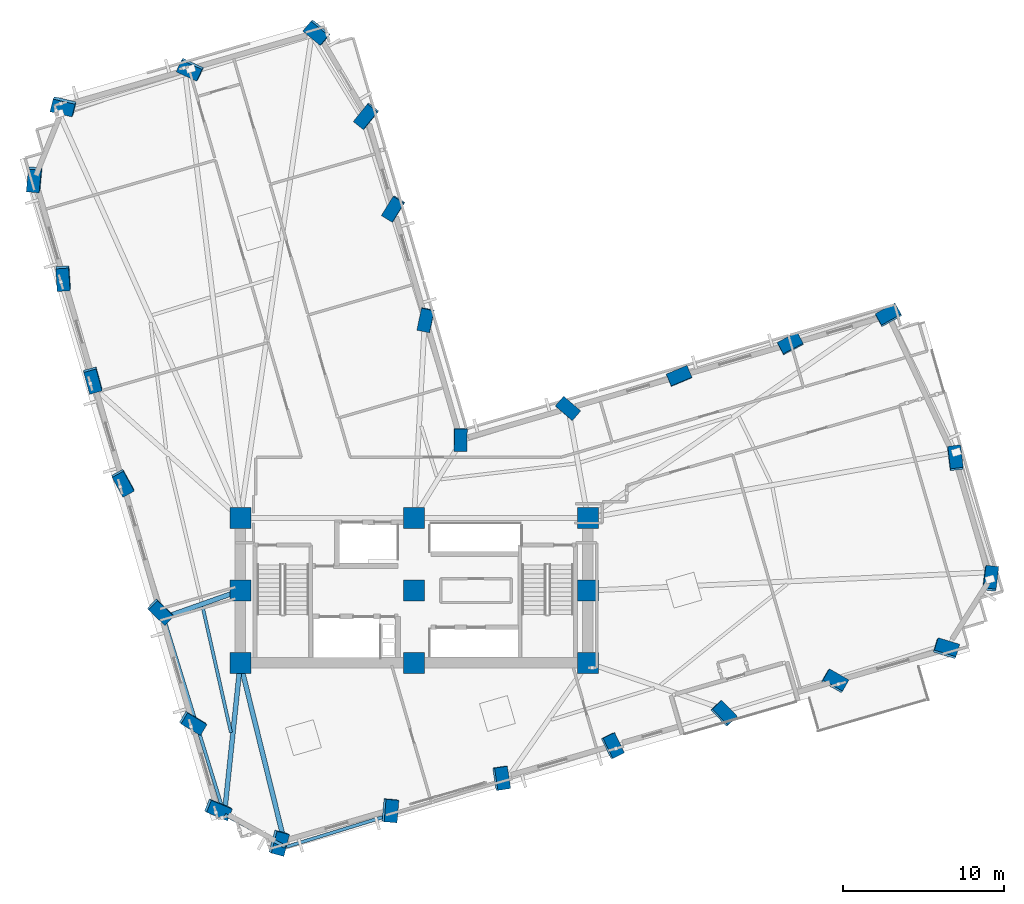
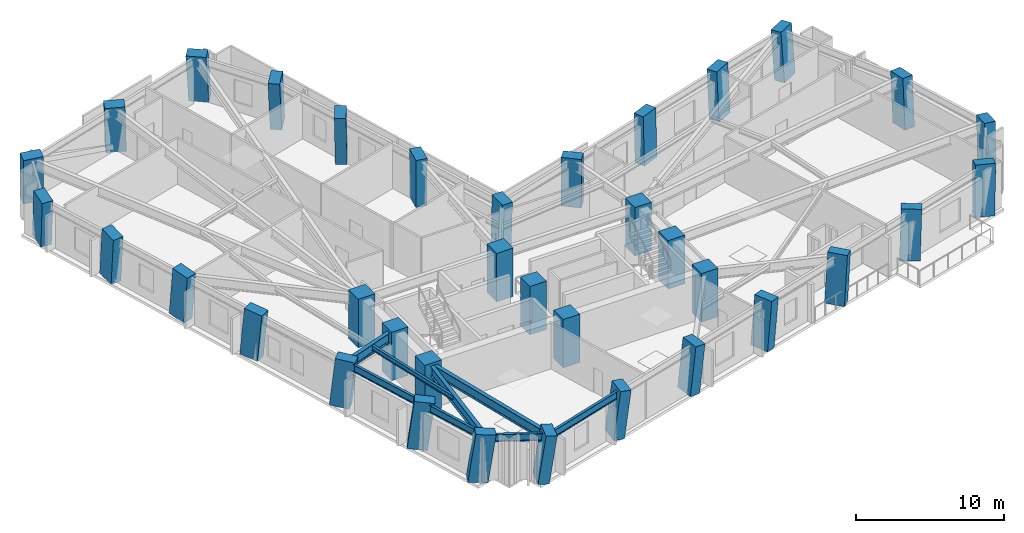
# One storey, part 1 of 15: 36 columns, 8 beams.
"""IFC4 building model written with IfcOpenShell, lengths in metres."""

from ifc_helpers import new_model, si_unit, direction, frame, origin, origin_2d, place, context, subcontext, project, spatial, rectangle, i_section, extrude, material, material_profile, profile_set, type_object, element, save


model = new_model("IFC4")

# Units and contexts
model_context = context("Model", 3, precision=1e-05, world=origin(), true_north=direction((0.0, 1.0)))
body_context = subcontext(model_context, "Body", "Model", "MODEL_VIEW")
ifc_project = project(units=[si_unit("LENGTHUNIT", "METRE"), si_unit("AREAUNIT", "SQUARE_METRE"), si_unit("VOLUMEUNIT", "CUBIC_METRE"), si_unit("PLANEANGLEUNIT", "RADIAN"), si_unit("MASSUNIT", "GRAM", prefix="KILO")], contexts=[model_context])

# Site, building, storey
site_placement = place(None, origin())
site = spatial("IfcSite", under=ifc_project, at=site_placement, CompositionType="ELEMENT")
building_placement = place(site_placement, origin())
building = spatial("IfcBuilding", under=site, at=building_placement, Name="Gaonmaruhae Medical Tower", CompositionType="ELEMENT")
storey_placement = place(building_placement, frame((0.0, 0.0, 92.39990234375)))
storey = spatial("IfcBuildingStorey", under=building, at=storey_placement, Name="L21", CompositionType="ELEMENT", Elevation=92.39990234375)

# Columns
ifc_material_1 = material(Name="Concrete C60/75", Category="concrete")
ifc_material_profile_1 = material_profile(ifc_material_1, rectangle(XDim=1.300048828125, YDim=1.300048828125, at=origin_2d()), Name="RC-1300x1300")
ifc_profile_set_1 = profile_set([ifc_material_profile_1], Name="Concrete C60/75")
column_type_1 = type_object("IfcColumnType", Name="CC-03 Zone 2 Core Column (RC-1300x1300)", PredefinedType="COLUMN", material=ifc_profile_set_1)
for number, where, z_axis, x_axis, name in (
    (1, (14.0, 7.800048828125, 0.0), (0.0, 0.0, 1.0), (1.0, 0.0, 0.0), "L21 Plumb Core Column CC11"),
    (2, (14.0, 12.300048828125, 0.0), (0.0, 0.0, 1.0), (1.0, 0.0, 0.0), "L21 Plumb Core Column CC12"),
    (3, (14.0, 16.800048828125, 0.0), (0.0, 0.0, 1.0), (1.0, 0.0, 0.0), "L21 Plumb Core Column CC13"),
    (4, (24.800048828125, 7.800048828125, 0.0), (0.0, 0.0, 1.0), (1.0, 0.0, 0.0), "L21 Plumb Core Column CC21"),
    (5, (24.800048828125, 12.300048828125, 0.0), (0.0, 0.0, 1.0), (1.0, 0.0, 0.0), "L21 Plumb Core Column CC22"),
    (6, (24.800048828125, 16.800048828125, 0.0), (0.0, 0.0, 1.0), (1.0, 0.0, 0.0), "L21 Plumb Core Column CC23"),
    (7, (35.60009765625, 7.800048828125, 0.0), (0.0, 0.0, 1.0), (1.0, 0.0, 0.0), "L21 Plumb Core Column CC31"),
    (8, (35.60009765625, 12.300048828125, 0.0), (0.0, 0.0, 1.0), (1.0, 0.0, 0.0), "L21 Plumb Core Column CC32"),
    (9, (35.60009765625, 16.800048828125, 0.0), (0.0, 0.0, 1.0), (1.0, 0.0, 0.0), "L21 Plumb Core Column CC33"),
):
    element("IfcColumn", number, at=place(storey_placement, frame(where, z_axis=z_axis, x_axis=x_axis)), inside=storey, type_object=column_type_1, Name=name, PredefinedType="COLUMN", context=body_context, shape_type="SweptSolid", body=[
        extrude(rectangle(XDim=1.300048828125, YDim=1.300048828125, at=origin_2d()), origin(), (0.0, 0.0, 1.0), 4.0),
    ])
ifc_material_profile_2 = material_profile(ifc_material_1, rectangle(XDim=1.39990234375, YDim=0.800048828125, at=origin_2d()), Name="RC-1400x800")
ifc_profile_set_2 = profile_set([ifc_material_profile_2], Name="Concrete C60/75")
column_type_2 = type_object("IfcColumnType", Name="TC-02 Mid Raking Tube Pier Column (RC-1400x800)", PredefinedType="COLUMN", material=ifc_profile_set_2)
column_1_placement = place(storey_placement, frame((16.35205078125, -3.35888671875, 0.001953125), z_axis=(0.116211224071, -0.06990831448, 0.99076121188), x_axis=(0.258989720334, 0.965143168384, 0.037722530176)))
element("IfcColumn", 10, at=column_1_placement, inside=storey, type_object=column_type_2, Name="L21 Perimeter Tube Column S01", PredefinedType="COLUMN", context=body_context, shape_type="SweptSolid", body=[
    extrude(rectangle(XDim=1.39990234375, YDim=0.800048828125, at=origin_2d()), origin(), (0.0, 0.0, 1.0), 4.03369140625),
])
column_2_placement = place(storey_placement, frame((23.267822265625, -1.356201171875, 0.001953125), z_axis=(0.108070847747, -0.041687070411, 0.993268785389), x_axis=(0.087920883708, 0.995606271542, 0.03221909797)))
element("IfcColumn", 11, at=column_2_placement, inside=storey, type_object=column_type_2, Name="L21 Perimeter Tube Column S02", PredefinedType="COLUMN", context=body_context, shape_type="SweptSolid", body=[
    extrude(rectangle(XDim=1.39990234375, YDim=0.800048828125, at=origin_2d()), origin(), (0.0, 0.0, 1.0), 4.0234375),
])
column_3_placement = place(storey_placement, frame((30.183837890625, 0.646484375, 0.001953125), z_axis=(0.099681538717, -0.013250350878, 0.994931162966), x_axis=(-0.147762234877, 0.988627314637, 0.027970604178)))
element("IfcColumn", 12, at=column_3_placement, inside=storey, type_object=column_type_2, Name="L21 Perimeter Tube Column S03", PredefinedType="COLUMN", context=body_context, shape_type="SweptSolid", body=[
    extrude(rectangle(XDim=1.39990234375, YDim=0.800048828125, at=origin_2d()), origin(), (0.0, 0.0, 1.0), 4.0166015625),
])
column_4_placement = place(storey_placement, frame((37.099609375, 2.649169921875, 0.001953125), z_axis=(0.091304057467, 0.015207204775, 0.995706939824), x_axis=(-0.4310043637, 0.901982463327, 0.025746345781)))
element("IfcColumn", 13, at=column_4_placement, inside=storey, type_object=column_type_2, Name="L21 Perimeter Tube Column S04", PredefinedType="COLUMN", context=body_context, shape_type="SweptSolid", body=[
    extrude(rectangle(XDim=1.39990234375, YDim=0.800048828125, at=origin_2d()), origin(), (0.0, 0.0, 1.0), 4.013671875),
])
column_5_placement = place(storey_placement, frame((44.015380859375, 4.652099609375, 0.001953125), z_axis=(0.082780006749, 0.043670863222, 0.995610529368), x_axis=(-0.693126808156, 0.720345403179, 0.026033208285)))
element("IfcColumn", 14, at=column_5_placement, inside=storey, type_object=column_type_2, Name="L21 Perimeter Tube Column S05", PredefinedType="COLUMN", context=body_context, shape_type="SweptSolid", body=[
    extrude(rectangle(XDim=1.39990234375, YDim=0.800048828125, at=origin_2d()), origin(), (0.0, 0.0, 1.0), 4.013916015625),
])
column_6_placement = place(storey_placement, frame((50.93115234375, 6.65478515625, 0.001953125), z_axis=(0.074252582584, 0.072065108793, 0.994632180293), x_axis=(-0.867503720891, 0.496597338829, 0.028781544571)))
element("IfcColumn", 15, at=column_6_placement, inside=storey, type_object=column_type_2, Name="L21 Perimeter Tube Column S06", PredefinedType="COLUMN", context=body_context, shape_type="SweptSolid", body=[
    extrude(rectangle(XDim=1.39990234375, YDim=0.800048828125, at=origin_2d()), origin(), (0.0, 0.0, 1.0), 4.017822265625),
])
column_7_placement = place(storey_placement, frame((57.84716796875, 8.657470703125, 0.001953125), z_axis=(0.065563521642, 0.100316433669, 0.99279304881), x_axis=(-0.95511967318, 0.294338645187, 0.03333424446)))
element("IfcColumn", 16, at=column_7_placement, inside=storey, type_object=column_type_2, Name="L21 Perimeter Tube Column S07", PredefinedType="COLUMN", context=body_context, shape_type="SweptSolid", body=[
    extrude(rectangle(XDim=1.39990234375, YDim=0.800048828125, at=origin_2d()), origin(), (0.0, 0.0, 1.0), 4.025390625),
])
column_8_placement = place(storey_placement, frame((60.599365234375, 12.994140625, 0.001953125), z_axis=(0.047663167765, 0.111517258931, 0.992618820796), x_axis=(-0.118947165952, -0.986043421986, 0.116490092582)))
element("IfcColumn", 17, at=column_8_placement, inside=storey, type_object=column_type_2, Name="L21 Perimeter Tube Column E01", PredefinedType="COLUMN", context=body_context, shape_type="SweptSolid", body=[
    extrude(rectangle(XDim=1.39990234375, YDim=0.800048828125, at=origin_2d()), origin(), (0.0, 0.0, 1.0), 4.026123046875),
])
column_9_placement = place(storey_placement, frame((58.4296875, 20.486328125, 0.001953125), z_axis=(0.016952173008, 0.102502924246, 0.994588243622), x_axis=(0.118546591366, -0.987920856836, 0.099795221852)))
element("IfcColumn", 18, at=column_9_placement, inside=storey, type_object=column_type_2, Name="L21 Perimeter Tube Column E02", PredefinedType="COLUMN", context=body_context, shape_type="SweptSolid", body=[
    extrude(rectangle(XDim=1.39990234375, YDim=0.800048828125, at=origin_2d()), origin(), (0.0, 0.0, 1.0), 4.01806640625),
])
column_10_placement = place(storey_placement, frame((54.290771484375, 29.386474609375, 0.001953125), z_axis=(-0.019656743005, 0.085260362073, 0.996164787128), x_axis=(-0.87373443972, -0.48579400269, 0.024337538869)))
element("IfcColumn", 19, at=column_10_placement, inside=storey, type_object=column_type_2, Name="L21 Perimeter Tube Column E03", PredefinedType="COLUMN", context=body_context, shape_type="SweptSolid", body=[
    extrude(rectangle(XDim=1.39990234375, YDim=0.800048828125, at=origin_2d()), origin(), (0.0, 0.0, 1.0), 4.01171875),
])
column_11_placement = place(storey_placement, frame((48.19140625, 27.6201171875, 0.001953125), z_axis=(-0.012134148462, 0.060243912966, 0.998109930514), x_axis=(-0.886808387337, -0.461821063456, 0.017093551324)))
element("IfcColumn", 20, at=column_11_placement, inside=storey, type_object=column_type_2, Name="L21 Perimeter Tube Column EN01", PredefinedType="COLUMN", context=body_context, shape_type="SweptSolid", body=[
    extrude(rectangle(XDim=1.39990234375, YDim=0.800048828125, at=origin_2d()), origin(), (0.0, 0.0, 1.0), 4.00390625),
])
column_12_placement = place(storey_placement, frame((41.275634765625, 25.6171875, 0.001953125), z_axis=(-0.003663585381, 0.031812133057, 0.99948715166), x_axis=(-0.92242354372, -0.386077024865, 0.00890712428)))
element("IfcColumn", 21, at=column_12_placement, inside=storey, type_object=column_type_2, Name="L21 Perimeter Tube Column EN02", PredefinedType="COLUMN", context=body_context, shape_type="SweptSolid", body=[
    extrude(rectangle(XDim=1.39990234375, YDim=0.800048828125, at=origin_2d()), origin(), (0.0, 0.0, 1.0), 3.998291015625),
])
column_13_placement = place(storey_placement, frame((34.359619140625, 23.614501953125, 0.001953125), z_axis=(0.004887203919, 0.003176682547, 0.999983011819), x_axis=(-0.756692991713, 0.653768374575, 0.001621325912)))
element("IfcColumn", 22, at=column_13_placement, inside=storey, type_object=column_type_2, Name="L21 Perimeter Tube Column EN03", PredefinedType="COLUMN", context=body_context, shape_type="SweptSolid", body=[
    extrude(rectangle(XDim=1.39990234375, YDim=0.800048828125, at=origin_2d()), origin(), (0.0, 0.0, 1.0), 3.996337890625),
])
column_14_placement = place(storey_placement, frame((27.68408203125, 21.681396484375, 0.001953125), z_axis=(0.01312953202, -0.024427036317, 0.999615393682), x_axis=(0.010491137864, 0.999649902666, 0.024290082866)))
element("IfcColumn", 23, at=column_14_placement, inside=storey, type_object=column_type_2, Name="L21 Perimeter Tube Column KN01", PredefinedType="COLUMN", context=body_context, shape_type="SweptSolid", body=[
    extrude(rectangle(XDim=1.39990234375, YDim=0.800048828125, at=origin_2d()), origin(), (0.0, 0.0, 1.0), 3.997802734375),
])
column_15_placement = place(storey_placement, frame((25.5283203125, 29.12548828125, 0.001953125), z_axis=(-0.017642620003, -0.033575920422, 0.99928043888), x_axis=(0.20024153282, 0.979068959558, 0.036432141899)))
element("IfcColumn", 24, at=column_15_placement, inside=storey, type_object=column_type_2, Name="L21 Perimeter Tube Column NE01", PredefinedType="COLUMN", context=body_context, shape_type="SweptSolid", body=[
    extrude(rectangle(XDim=1.39990234375, YDim=0.800048828125, at=origin_2d()), origin(), (0.0, 0.0, 1.0), 3.999267578125),
])
column_16_placement = place(storey_placement, frame((23.525634765625, 36.041259765625, 0.001953125), z_axis=(-0.046216520229, -0.042070447174, 0.998045144636), x_axis=(0.521685945625, 0.851022960879, 0.060030777066)))
element("IfcColumn", 25, at=column_16_placement, inside=storey, type_object=column_type_2, Name="L21 Perimeter Tube Column NE02", PredefinedType="COLUMN", context=body_context, shape_type="SweptSolid", body=[
    extrude(rectangle(XDim=1.39990234375, YDim=0.800048828125, at=origin_2d()), origin(), (0.0, 0.0, 1.0), 4.004150390625),
])
column_17_placement = place(storey_placement, frame((21.8564453125, 41.804443359375, 0.001953125), z_axis=(-0.069815910816, -0.049059829222, 0.996352784787), x_axis=(0.623114052348, 0.77782458417, 0.081962149972)))
element("IfcColumn", 26, at=column_17_placement, inside=storey, type_object=column_type_2, Name="L21 Perimeter Tube Column NE03", PredefinedType="COLUMN", context=body_context, shape_type="SweptSolid", body=[
    extrude(rectangle(XDim=1.39990234375, YDim=0.800048828125, at=origin_2d()), origin(), (0.0, 0.0, 1.0), 4.010986328125),
])
column_18_placement = place(storey_placement, frame((18.78857421875, 47.00634765625, 0.001953125), z_axis=(-0.091019912325, -0.061752669002, 0.993932584953), x_axis=(0.768058943677, -0.639647908294, 0.030594320596)))
element("IfcColumn", 27, at=column_18_placement, inside=storey, type_object=column_type_2, Name="L21 Perimeter Tube Column N01", PredefinedType="COLUMN", context=body_context, shape_type="SweptSolid", body=[
    extrude(rectangle(XDim=1.39990234375, YDim=0.800048828125, at=origin_2d()), origin(), (0.0, 0.0, 1.0), 4.020751953125),
])
column_19_placement = place(storey_placement, frame((10.912109375, 44.7255859375, 0.001953125), z_axis=(-0.081167514257, -0.094018532197, 0.992256191834), x_axis=(0.907432138666, -0.418775943189, 0.03454885123)))
element("IfcColumn", 28, at=column_19_placement, inside=storey, type_object=column_type_2, Name="L21 Perimeter Tube Column N02", PredefinedType="COLUMN", context=body_context, shape_type="SweptSolid", body=[
    extrude(rectangle(XDim=1.39990234375, YDim=0.800048828125, at=origin_2d()), origin(), (0.0, 0.0, 1.0), 4.027587890625),
])
column_20_placement = place(storey_placement, frame((3.03564453125, 42.444580078125, 0.001953125), z_axis=(-0.071328120519, -0.125972714544, 0.989466105743), x_axis=(0.971456010571, -0.233777263949, 0.040266740449)))
element("IfcColumn", 29, at=column_20_placement, inside=storey, type_object=column_type_2, Name="L21 Perimeter Tube Column N03", PredefinedType="COLUMN", context=body_context, shape_type="SweptSolid", body=[
    extrude(rectangle(XDim=1.39990234375, YDim=0.800048828125, at=origin_2d()), origin(), (0.0, 0.0, 1.0), 4.038818359375),
])
column_21_placement = place(storey_placement, frame((1.22509765625, 37.912109375, 0.001953125), z_axis=(-0.052721586677, -0.133255019536, 0.989678500356), x_axis=(0.091085483074, 0.986283861971, 0.137650203007)))
element("IfcColumn", 30, at=column_21_placement, inside=storey, type_object=column_type_2, Name="L21 Perimeter Tube Column W01", PredefinedType="COLUMN", context=body_context, shape_type="SweptSolid", body=[
    extrude(rectangle(XDim=1.39990234375, YDim=0.800048828125, at=origin_2d()), origin(), (0.0, 0.0, 1.0), 4.0380859375),
])
column_22_placement = place(storey_placement, frame((3.00537109375, 31.7646484375, 0.001953125), z_axis=(-0.027624773455, -0.126007738565, 0.991644554119), x_axis=(-0.067724849198, 0.989979682361, 0.123909536812)))
element("IfcColumn", 31, at=column_22_placement, inside=storey, type_object=column_type_2, Name="L21 Perimeter Tube Column W02", PredefinedType="COLUMN", context=body_context, shape_type="SweptSolid", body=[
    extrude(rectangle(XDim=1.39990234375, YDim=0.800048828125, at=origin_2d()), origin(), (0.0, 0.0, 1.0), 4.030029296875),
])
column_23_placement = place(storey_placement, frame((4.841064453125, 25.425048828125, 0.001953125), z_axis=(-0.001577202956, -0.118350883349, 0.992970584077), x_axis=(-0.265418805981, 0.957406566821, 0.11369047119)))
element("IfcColumn", 32, at=column_23_placement, inside=storey, type_object=column_type_2, Name="L21 Perimeter Tube Column W03", PredefinedType="COLUMN", context=body_context, shape_type="SweptSolid", body=[
    extrude(rectangle(XDim=1.39990234375, YDim=0.800048828125, at=origin_2d()), origin(), (0.0, 0.0, 1.0), 4.024658203125),
])
column_24_placement = place(storey_placement, frame((6.69091796875, 19.03759765625, 0.001953125), z_axis=(0.024643094895, -0.110651137915, 0.993553744672), x_axis=(-0.478960573088, 0.871056875124, 0.108888427883)))
element("IfcColumn", 33, at=column_24_placement, inside=storey, type_object=column_type_2, Name="L21 Perimeter Tube Column W04", PredefinedType="COLUMN", context=body_context, shape_type="SweptSolid", body=[
    extrude(rectangle(XDim=1.39990234375, YDim=0.800048828125, at=origin_2d()), origin(), (0.0, 0.0, 1.0), 4.022216796875),
])
column_25_placement = place(storey_placement, frame((9.013427734375, 11.01708984375, 0.001953125), z_axis=(0.057583895371, -0.100726308024, 0.993246347019), x_axis=(-0.714979934027, 0.690205417785, 0.111445839753)))
element("IfcColumn", 34, at=column_25_placement, inside=storey, type_object=column_type_2, Name="L21 Perimeter Tube Column W05", PredefinedType="COLUMN", context=body_context, shape_type="SweptSolid", body=[
    extrude(rectangle(XDim=1.39990234375, YDim=0.800048828125, at=origin_2d()), origin(), (0.0, 0.0, 1.0), 4.0234375),
])
column_26_placement = place(storey_placement, frame((11.016357421875, 4.101318359375, 0.001953125), z_axis=(0.085876344735, -0.092179195725, 0.992032383186), x_axis=(-0.853051302174, 0.507601918785, 0.121011437085)))
element("IfcColumn", 35, at=column_26_placement, inside=storey, type_object=column_type_2, Name="L21 Perimeter Tube Column W06", PredefinedType="COLUMN", context=body_context, shape_type="SweptSolid", body=[
    extrude(rectangle(XDim=1.39990234375, YDim=0.800048828125, at=origin_2d()), origin(), (0.0, 0.0, 1.0), 4.0283203125),
])
column_27_placement = place(storey_placement, frame((12.573974609375, -1.27783203125, 0.001953125), z_axis=(0.107769340427, -0.085440936936, 0.990497660552), x_axis=(-0.918336422931, 0.373104835756, 0.132102217443)))
element("IfcColumn", 36, at=column_27_placement, inside=storey, type_object=column_type_2, Name="L21 Perimeter Tube Column W07", PredefinedType="COLUMN", context=body_context, shape_type="SweptSolid", body=[
    extrude(rectangle(XDim=1.39990234375, YDim=0.800048828125, at=origin_2d()), origin(), (0.0, 0.0, 1.0), 4.03466796875),
])

# Beams
ifc_material_2 = material(Name="Steel SM355", Category="steel")
ifc_material_profile_3 = material_profile(ifc_material_2, i_section(OverallWidth=0.199951171875, OverallDepth=0.39990234375, WebThickness=0.008056640625, FlangeThickness=0.012939453125, FilletRadius=0.012939453125, at=origin_2d()), Name="H-400x200x8x13")
ifc_profile_set_3 = profile_set([ifc_material_profile_3], Name="Steel SM355")
beam_type_1 = type_object("IfcBeamType", Name="FJ-01 Lower Zone Ward Floor Joist (H-400x200x8x13)", PredefinedType="JOIST", material=ifc_profile_set_3)
beam_1_placement = place(storey_placement, frame((11.6572265625, 11.302490234375, 3.580078125), z_axis=(0.219412208268, -0.975632247757, 0.0), x_axis=(0.975632247757, 0.219412208268, 0.0)))
element("IfcBeam", 37, at=beam_1_placement, inside=storey, type_object=beam_type_1, Name="L21 Secondary Floor Joist FJ14", PredefinedType="JOIST", context=body_context, shape_type="SweptSolid", body=[
    extrude(i_section(OverallWidth=0.199951171875, OverallDepth=0.39990234375, WebThickness=0.008056640625, FlangeThickness=0.012939453125, FilletRadius=0.012939453125, at=origin_2d()), origin(), (0.0, 0.0, 1.0), 8.01806640625),
])
ifc_material_3 = material(Name="Steel SM420", Category="steel")
ifc_material_profile_4 = material_profile(ifc_material_3, i_section(OverallWidth=0.300048828125, OverallDepth=0.800048828125, WebThickness=0.013916015625, FlangeThickness=0.02587890625, FilletRadius=0.01806640625, at=origin_2d()), Name="H-800x300x14x26")
ifc_profile_set_4 = profile_set([ifc_material_profile_4], Name="Steel SM420")
beam_type_2 = type_object("IfcBeamType", Name="PG-02 Zone 2 Radial Floor Girder (H-800x300x14x26)", PredefinedType="BEAM", material=ifc_profile_set_4)
beam_2_placement = place(storey_placement, frame((14.011962890625, 7.75146484375, 3.380126953125), z_axis=(0.239402458967, -0.970920420344, 0.0), x_axis=(0.970920420344, 0.239402458967, 0.0)))
element("IfcBeam", 38, at=beam_2_placement, inside=storey, type_object=beam_type_2, Name="L21 Radial Primary Girder S01", PredefinedType="BEAM", context=body_context, shape_type="SweptSolid", body=[
    extrude(i_section(OverallWidth=0.300048828125, OverallDepth=0.800048828125, WebThickness=0.013916015625, FlangeThickness=0.02587890625, FilletRadius=0.01806640625, at=origin_2d()), origin(), (0.0, 0.0, 1.0), 11.683837890625),
])
beam_3_placement = place(storey_placement, frame((13.952880859375, 12.283203125, 3.380126953125), z_axis=(-0.94234239696, -0.334650275499, 0.0), x_axis=(0.334650275499, -0.94234239696, 0.0)))
element("IfcBeam", 39, at=beam_3_placement, inside=storey, type_object=beam_type_2, Name="L21 Radial Primary Girder W05", PredefinedType="BEAM", context=body_context, shape_type="SweptSolid", body=[
    extrude(i_section(OverallWidth=0.300048828125, OverallDepth=0.800048828125, WebThickness=0.013916015625, FlangeThickness=0.02587890625, FilletRadius=0.01806640625, at=origin_2d()), origin(), (0.0, 0.0, 1.0), 4.945556640625),
])
beam_4_placement = place(storey_placement, frame((13.994873046875, 7.750244140625, 3.380126953125), z_axis=(-0.104587177686, -0.994515722482, 0.0), x_axis=(0.994515722482, -0.104587177686, 0.0)))
element("IfcBeam", 40, at=beam_4_placement, inside=storey, type_object=beam_type_2, Name="L21 Radial Primary Girder W07", PredefinedType="BEAM", context=body_context, shape_type="SweptSolid", body=[
    extrude(i_section(OverallWidth=0.300048828125, OverallDepth=0.800048828125, WebThickness=0.013916015625, FlangeThickness=0.02587890625, FilletRadius=0.01806640625, at=origin_2d()), origin(), (0.0, 0.0, 1.0), 9.374755859375),
])
ifc_material_profile_5 = material_profile(ifc_material_2, i_section(OverallWidth=0.199951171875, OverallDepth=0.60009765625, WebThickness=0.010986328125, FlangeThickness=0.01708984375, FilletRadius=0.012939453125, at=origin_2d()), Name="H-600x200x11x17")
ifc_profile_set_5 = profile_set([ifc_material_profile_5], Name="Steel SM355")
beam_type_3 = type_object("IfcBeamType", Name="SP-01 Lower Perimeter Spandrel Beam (H-600x200x11x17)", PredefinedType="SPANDREL", material=ifc_profile_set_5)
for number, where, z_axis, x_axis, name in (
    (41, (16.859375, -3.629150390625, 3.47998046875), (0.955794576816, 0.294035247765, 0.0), (-0.294035247765, 0.955794576816, 0.0), "L21 Perimeter Spandrel Beam S01-S02"),
    (42, (9.257080078125, 10.5732421875, 3.47998046875), (0.294035247765, -0.955794576816, 0.0), (0.955794576816, 0.294035247765, 0.0), "L21 Perimeter Spandrel Beam W05-W06"),
):
    element("IfcBeam", number, at=place(storey_placement, frame(where, z_axis=z_axis, x_axis=x_axis)), inside=storey, type_object=beam_type_3, Name=name, PredefinedType="SPANDREL", context=body_context, shape_type="SweptSolid", body=[
        extrude(i_section(OverallWidth=0.199951171875, OverallDepth=0.60009765625, WebThickness=0.010986328125, FlangeThickness=0.01708984375, FilletRadius=0.012939453125, at=origin_2d()), origin(), (0.0, 0.0, 1.0), 7.119873046875),
    ])
beam_5_placement = place(storey_placement, frame((11.374267578125, 3.691650390625, 3.47998046875), z_axis=(0.294023690802, -0.955798132059, 0.0), x_axis=(0.955798132059, 0.294023690802, 0.0)))
element("IfcBeam", 43, at=beam_5_placement, inside=storey, type_object=beam_type_3, Name="L21 Perimeter Spandrel Beam W06-W07", PredefinedType="SPANDREL", context=body_context, shape_type="SweptSolid", body=[
    extrude(i_section(OverallWidth=0.199951171875, OverallDepth=0.60009765625, WebThickness=0.010986328125, FlangeThickness=0.01708984375, FilletRadius=0.012939453125, at=origin_2d()), origin(), (0.0, 0.0, 1.0), 5.52001953125),
])
beam_6_placement = place(storey_placement, frame((13.04443359375, -1.641357421875, 3.47998046875), z_axis=(0.883757052414, -0.46794601431, 0.0), x_axis=(0.46794601431, 0.883757052414, 0.0)))
element("IfcBeam", 44, at=beam_6_placement, inside=storey, type_object=beam_type_3, Name="L21 Perimeter Spandrel Beam W07-S01", PredefinedType="SPANDREL", context=body_context, shape_type="SweptSolid", body=[
    extrude(i_section(OverallWidth=0.199951171875, OverallDepth=0.60009765625, WebThickness=0.010986328125, FlangeThickness=0.01708984375, FilletRadius=0.012939453125, at=origin_2d()), origin(), (0.0, 0.0, 1.0), 4.2333984375),
])

save(model, "model.ifc")
